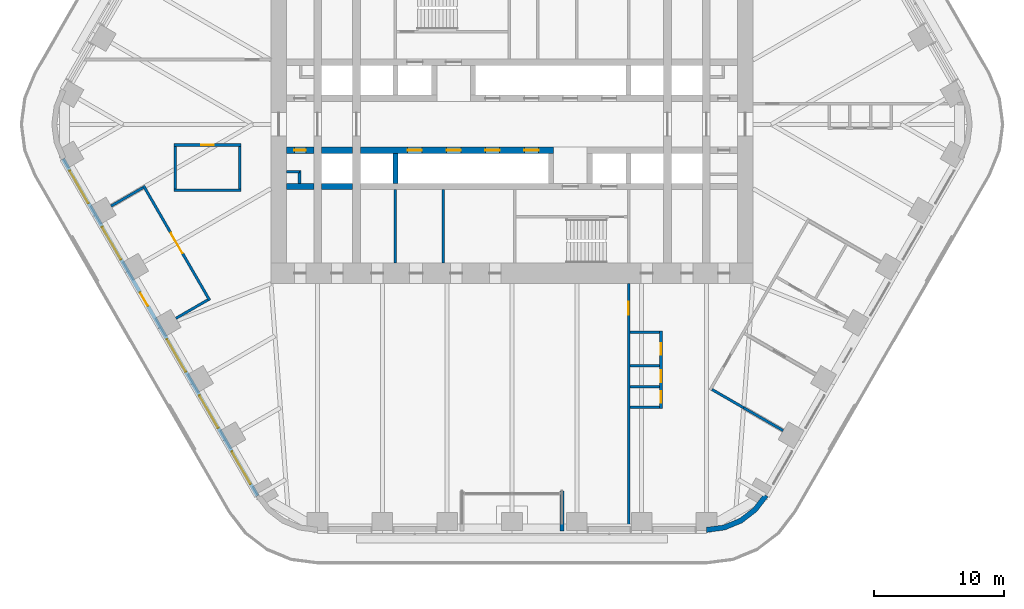
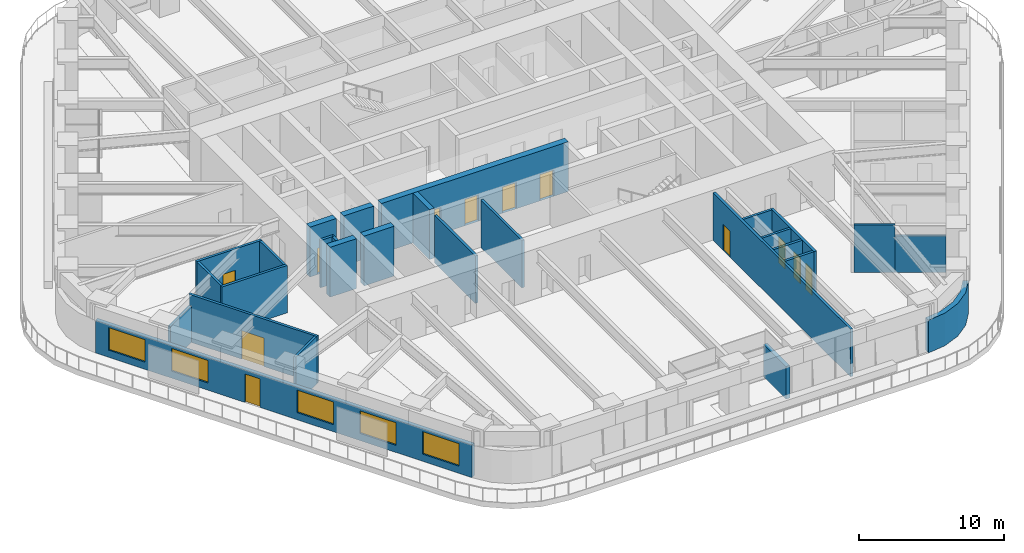
# One storey, part 17 of 24: 28 walls, 12 doors, 5 windows, 17 openings.
"""IFC4 building model written with IfcOpenShell, lengths in metres."""

import ifcopenshell
import ifcopenshell.guid

model = None  # the IFC model being written
_history = None  # IfcOwnerHistory: only IFC2X3 demands one
_inside = {}  # id of a spatial element -> (the spatial element, [elements in it])
_under = {}  # id of a project, library or spatial element -> (it, [spatial elements below it])
_declared = {}  # id of a project -> (the project, [libraries it declares])
_typed = {}  # id of a type object -> (the type object, [elements of that type])
_made_of = {}  # id of a material, layer set ... -> (it, [elements and type objects made of it])


def new_model(schema):
    """Start an empty IFC model of exactly this schema.

    Asked for "IFC4X3", IfcOpenShell would pick the latest addendum, in which some entities
    have other attributes; the version numbers below select the first issue.
    IFC2X3 requires an IfcOwnerHistory on every rooted entity: one is made here for all.
    """
    global model, _history
    if schema == "IFC4X3":
        model = ifcopenshell.file(schema_version=(4, 3, 0, 0))
    else:
        model = ifcopenshell.file(schema=schema)
    _inside.clear()
    _under.clear()
    _declared.clear()
    _typed.clear()
    _made_of.clear()
    _history = None
    if model.schema == "IFC2X3":
        org = make("IfcOrganization", Name="unknown")
        user = make(
            "IfcPersonAndOrganization",
            ThePerson=make("IfcPerson", FamilyName="unknown"),
            TheOrganization=org,
        )
        app = make(
            "IfcApplication",
            ApplicationDeveloper=org,
            Version="unknown",
            ApplicationFullName="unknown",
            ApplicationIdentifier="unknown",
        )
        _history = make(
            "IfcOwnerHistory",
            OwningUser=user,
            OwningApplication=app,
            ChangeAction="ADDED",
            CreationDate=0,
        )
    return model


def make(cls, **values):
    """One entity of the class cls with the attributes given. An attribute that is None is left unset."""
    return model.create_entity(
        cls, **{name: value for name, value in values.items() if value is not None}
    )


def rooted(cls, **values):
    """An entity with a GlobalId (a new one), such as an element, a storey or a relation."""
    return make(cls, GlobalId=ifcopenshell.guid.new(), OwnerHistory=_history, **values)


def si_unit(unit_type, name, prefix=None):
    """IfcSIUnit, for example si_unit("LENGTHUNIT", "METRE", prefix="MILLI")."""
    return make("IfcSIUnit", UnitType=unit_type, Prefix=prefix, Name=name)


def assignment(units):
    """IfcUnitAssignment: the units of a project."""
    return None if units is None else make("IfcUnitAssignment", Units=units)


def point(xyz):
    """IfcCartesianPoint."""
    return None if xyz is None else make("IfcCartesianPoint", Coordinates=xyz)


def direction(xyz):
    """IfcDirection."""
    return None if xyz is None else make("IfcDirection", DirectionRatios=xyz)


def frame(location, z_axis=None, x_axis=None):
    """IfcAxis2Placement3D, a coordinate frame: its origin and axes. An axis left out is left unset."""
    return make(
        "IfcAxis2Placement3D",
        Location=point(location),
        Axis=direction(z_axis),
        RefDirection=direction(x_axis),
    )


def frame_2d(location, x_axis=None):
    """IfcAxis2Placement2D, a coordinate frame in the plane: its origin and x axis."""
    return make(
        "IfcAxis2Placement2D", Location=point(location), RefDirection=direction(x_axis)
    )


def origin():
    """The frame at (0, 0, 0) with its axes left unset."""
    return frame((0.0, 0.0, 0.0))


def place(relative_to, where):
    """IfcLocalPlacement: puts the frame where relative to a parent placement (None: the world)."""
    return make(
        "IfcLocalPlacement", PlacementRelTo=relative_to, RelativePlacement=where
    )


def context(
    kind, dimensions, precision=None, world=None, true_north=None, identifier=None
):
    """IfcGeometricRepresentationContext, for example the 3D "Model" context."""
    return make(
        "IfcGeometricRepresentationContext",
        ContextIdentifier=identifier,
        ContextType=kind,
        CoordinateSpaceDimension=dimensions,
        Precision=precision,
        WorldCoordinateSystem=world,
        TrueNorth=true_north,
    )


def subcontext(parent, identifier, kind, view, scale=None):
    """IfcGeometricRepresentationSubContext, for example "Body" below "Model"."""
    return make(
        "IfcGeometricRepresentationSubContext",
        ContextIdentifier=identifier,
        ContextType=kind,
        ParentContext=parent,
        TargetScale=scale,
        TargetView=view,
    )


def project(units=None, contexts=None):
    """IfcProject with its units and contexts."""
    return rooted(
        "IfcProject",
        Name="project",
        RepresentationContexts=contexts,
        UnitsInContext=assignment(units),
    )


def spatial(cls, under=None, at=None, **own):
    """A site, building, storey or space (cls), placed at a placement, below another one or the project."""
    s = rooted(cls, ObjectPlacement=at, **own)
    if under is not None:
        _under.setdefault(under.id(), (under, []))[1].append(s)
    return s


def polyline(points):
    """IfcPolyline through the points."""
    return make("IfcPolyline", Points=[point(p) for p in points])


def profile(cls, at=None, kind="AREA", **sizes):
    """A parametric profile (cls). Its sizes go by their IFC names, for example OverallWidth=200.0."""
    return make(cls, ProfileType=kind, Position=at, **sizes)


def rectangle(**sizes):
    """IfcRectangleProfileDef."""
    return profile("IfcRectangleProfileDef", **sizes)


def outline(outer, holes=None, kind="AREA"):
    """IfcArbitraryClosedProfileDef: a profile drawn as a closed curve; with holes, ...WithVoids."""
    if holes is None:
        return make("IfcArbitraryClosedProfileDef", ProfileType=kind, OuterCurve=outer)
    return make(
        "IfcArbitraryProfileDefWithVoids",
        ProfileType=kind,
        OuterCurve=outer,
        InnerCurves=holes,
    )


def extrude(swept, where, along, depth):
    """IfcExtrudedAreaSolid: the profile swept, set in the frame where, extruded along a direction by depth."""
    return make(
        "IfcExtrudedAreaSolid",
        SweptArea=swept,
        Position=where,
        ExtrudedDirection=direction(along),
        Depth=depth,
    )


def shape(context_of_items, identifier, shape_type, items):
    """IfcShapeRepresentation: the items that make up one representation, for example the "Body"."""
    return make(
        "IfcShapeRepresentation",
        ContextOfItems=context_of_items,
        RepresentationIdentifier=identifier,
        RepresentationType=shape_type,
        Items=items,
    )


def material(Name=None, Category=None):
    """IfcMaterial."""
    return make("IfcMaterial", Name=Name, Category=Category)


def layer(
    of_material, thickness, ventilated=None, Name=None, Category=None, Priority=None
):
    """IfcMaterialLayer: one layer of a wall or slab, of a material (None: an air gap)."""
    return make(
        "IfcMaterialLayer",
        Material=of_material,
        LayerThickness=thickness,
        IsVentilated=ventilated,
        Name=Name,
        Category=Category,
        Priority=Priority,
    )


def layer_set(layers, Name=None):
    """IfcMaterialLayerSet."""
    return make("IfcMaterialLayerSet", MaterialLayers=layers, LayerSetName=Name)


def made_of(thing, what):
    """Note that an element or type object is made of a material, layer set ...; save() writes the relation."""
    if what is not None:
        _made_of.setdefault(what.id(), (what, []))[1].append(thing)
    return thing


def type_object(cls, material=None, **own):
    """A type object (cls), such as IfcWallType, which elements share."""
    return made_of(rooted(cls, **own), material)


def element(
    cls,
    number,
    at=None,
    inside=None,
    cuts=None,
    type_object=None,
    material=None,
    context=None,
    identifier="Body",
    shape_type=None,
    held_by="IfcProductDefinitionShape",
    body=None,
    shapes=None,
    **own,
):
    """One element of the class cls, such as IfcWall. Its Tag is "e" and its number.

    at: its placement. inside: the storey or other place that contains it. cuts: it is an
    opening in that element (IfcRelVoidsElement). A single representation is given by context,
    identifier, shape_type and body (its items); several are given by shapes. held_by: the class
    of the entity that holds the representations. save() writes the other relations.
    """
    e = rooted(cls, Tag="e%d" % number, ObjectPlacement=at, **own)
    if body is not None:
        shapes = [shape(context, identifier, shape_type, body)]
    if shapes is not None:
        e.Representation = make(held_by, Representations=shapes)
    if inside is not None:
        _inside.setdefault(inside.id(), (inside, []))[1].append(e)
    if cuts is not None:
        rooted(
            "IfcRelVoidsElement", RelatingBuildingElement=cuts, RelatedOpeningElement=e
        )
    if type_object is not None:
        _typed.setdefault(type_object.id(), (type_object, []))[1].append(e)
    return made_of(e, material)


def fill(opening, filler):
    """IfcRelFillsElement: the door or window that sits in an opening."""
    return rooted(
        "IfcRelFillsElement",
        RelatingOpeningElement=opening,
        RelatedBuildingElement=filler,
    )


def aggregate(whole, parts):
    """IfcRelAggregates: a whole, such as a stair, and the parts it consists of."""
    return rooted("IfcRelAggregates", RelatingObject=whole, RelatedObjects=parts)


def save(model, path):
    """Write the relations noted so far, then the file.

    IfcRelAggregates (storeys below a building ...), IfcRelContainedInSpatialStructure (elements
    in a storey), IfcRelDefinesByType, IfcRelAssociatesMaterial and IfcRelDeclares: one each for
    every whole, place, type object, material and project.
    """
    for whole, parts in _under.values():
        aggregate(whole, parts)
    for where, things in _inside.values():
        rooted(
            "IfcRelContainedInSpatialStructure",
            RelatedElements=things,
            RelatingStructure=where,
        )
    for kind, things in _typed.values():
        rooted("IfcRelDefinesByType", RelatedObjects=things, RelatingType=kind)
    for what, things in _made_of.values():
        rooted("IfcRelAssociatesMaterial", RelatedObjects=things, RelatingMaterial=what)
    for by, libraries in _declared.values():
        rooted("IfcRelDeclares", RelatingContext=by, RelatedDefinitions=libraries)
    model.write(path)


model = new_model("IFC4")

# Units and contexts
model_context = context("Model", 3, precision=1e-05, world=origin(), true_north=direction((0.0, 1.0)))
body_context = subcontext(model_context, "Body", "Model", "MODEL_VIEW")
ifc_project = project(units=[si_unit("LENGTHUNIT", "METRE"), si_unit("AREAUNIT", "SQUARE_METRE"), si_unit("VOLUMEUNIT", "CUBIC_METRE"), si_unit("PLANEANGLEUNIT", "RADIAN"), si_unit("MASSUNIT", "GRAM", prefix="KILO")], contexts=[model_context])

# Site, building, storey
site_placement = place(None, origin())
site = spatial("IfcSite", under=ifc_project, at=site_placement, CompositionType="ELEMENT")
building_placement = place(site_placement, origin())
building = spatial("IfcBuilding", under=site, at=building_placement, Name="Tarfa Lantern Tower", CompositionType="ELEMENT")
storey_placement = place(building_placement, frame((0.0, 0.0, 169.89990234375)))
storey = spatial("IfcBuildingStorey", under=building, at=storey_placement, Name="L38", CompositionType="ELEMENT", Elevation=169.89990234375)

# Wall, openings, door, windows
ifc_material_1 = material(Name="Limestone cladding on blockwork", Category="masonry")
ifc_layer_1 = layer(ifc_material_1, 0.300048828125)
ifc_layer_set_1 = layer_set([ifc_layer_1], Name="EW1 STONE-CLAD WALL 300")
wall_type_1 = type_object("IfcWallType", Name="EW1 STONE-CLAD WALL 300", PredefinedType="SOLIDWALL", material=ifc_layer_set_1)
wall_1_placement = place(storey_placement, frame((-34.655517578125, -2.675048828125, 0.0), z_axis=(0.0, 0.0, 1.0), x_axis=(0.500003084452, -0.866023622968, 0.0)))
wall_1 = element("IfcWall", 1, at=wall_1_placement, inside=storey, type_object=wall_type_1, Name="Stone wall SW", PredefinedType="SOLIDWALL", context=body_context, shape_type="SweptSolid", body=[
    extrude(rectangle(XDim=30.022216796875, YDim=0.300048828125, at=frame_2d((15.01123046875, 0.0))), origin(), (0.0, 0.0, 1.0), 2.75),
])
opening_1_placement = place(wall_1_placement, frame((1.0517578125, 0.0, 0.60009765625)))
opening_1 = element("IfcOpeningElement", 2, at=opening_1_placement, cuts=wall_1, Name="Opening W9", PredefinedType="OPENING", context=body_context, shape_type="SweptSolid", body=[
    extrude(rectangle(XDim=2.89990234375, YDim=1.89990234375, at=frame_2d((1.449951171875, 0.949951171875))), frame((0.0, 0.159912109375, 0.0), z_axis=(0.0, -1.0, 0.0), x_axis=(1.0, 0.0, 0.0)), (0.0, 0.0, 1.0), 0.320068359375),
])
opening_2_placement = place(wall_1_placement, frame((6.0556640625, 0.0, 0.60009765625)))
opening_2 = element("IfcOpeningElement", 3, at=opening_2_placement, cuts=wall_1, Name="Opening W9", PredefinedType="OPENING", context=body_context, shape_type="SweptSolid", body=[
    extrude(rectangle(XDim=2.89990234375, YDim=1.89990234375, at=frame_2d((1.449951171875, 0.949951171875))), frame((0.0, 0.159912109375, 0.0), z_axis=(0.0, -1.0, 0.0), x_axis=(1.0, 0.0, 0.0)), (0.0, 0.0, 1.0), 0.320068359375),
])
opening_3_placement = place(wall_1_placement, frame((11.9091796875, 0.0, 0.0)))
opening_3 = element("IfcOpeningElement", 4, at=opening_3_placement, cuts=wall_1, Name="Opening D52", PredefinedType="OPENING", context=body_context, shape_type="SweptSolid", body=[
    extrude(rectangle(XDim=1.199951171875, YDim=2.39990234375, at=frame_2d((0.60009765625, 1.199951171875))), frame((0.0, 0.159912109375, 0.0), z_axis=(0.0, -1.0, 0.0), x_axis=(1.0, 0.0, 0.0)), (0.0, 0.0, 1.0), 0.320068359375),
])
opening_4_placement = place(wall_1_placement, frame((16.06298828125, 0.0, 0.60009765625)))
opening_4 = element("IfcOpeningElement", 5, at=opening_4_placement, cuts=wall_1, Name="Opening W9", PredefinedType="OPENING", context=body_context, shape_type="SweptSolid", body=[
    extrude(rectangle(XDim=2.89990234375, YDim=1.89990234375, at=frame_2d((1.449951171875, 0.949951171875))), frame((0.0, 0.159912109375, 0.0), z_axis=(0.0, -1.0, 0.0), x_axis=(1.0, 0.0, 0.0)), (0.0, 0.0, 1.0), 0.320068359375),
])
opening_5_placement = place(wall_1_placement, frame((21.066650390625, 0.0, 0.60009765625)))
opening_5 = element("IfcOpeningElement", 6, at=opening_5_placement, cuts=wall_1, Name="Opening W9", PredefinedType="OPENING", context=body_context, shape_type="SweptSolid", body=[
    extrude(rectangle(XDim=2.89990234375, YDim=1.89990234375, at=frame_2d((1.449951171875, 0.949951171875))), frame((0.0, 0.159912109375, 0.0), z_axis=(0.0, -1.0, 0.0), x_axis=(1.0, 0.0, 0.0)), (0.0, 0.0, 1.0), 0.320068359375),
])
opening_6_placement = place(wall_1_placement, frame((26.0703125, 0.0, 0.60009765625)))
opening_6 = element("IfcOpeningElement", 7, at=opening_6_placement, cuts=wall_1, Name="Opening W9", PredefinedType="OPENING", context=body_context, shape_type="SweptSolid", body=[
    extrude(rectangle(XDim=2.89990234375, YDim=1.89990234375, at=frame_2d((1.449951171875, 0.949951171875))), frame((0.0, 0.159912109375, 0.0), z_axis=(0.0, -1.0, 0.0), x_axis=(1.0, 0.0, 0.0)), (0.0, 0.0, 1.0), 0.320068359375),
])
ifc_material_2 = material(Name="Aluminium framed glazed door", Category="aluminium")
door_type_1 = type_object("IfcDoorType", Name="BE3 BALCONY DOOR 1200x2400", OperationType="SINGLE_SWING_RIGHT", PredefinedType="DOOR", material=ifc_material_2)
door_1_placement = place(opening_3_placement, origin())
door_1 = element("IfcDoor", 8, at=door_1_placement, inside=storey, type_object=door_type_1, Name="Balcony door SW", OperationType="SINGLE_SWING_RIGHT", OverallHeight=2.39990234375, OverallWidth=1.199951171875, PredefinedType="DOOR", context=body_context, shape_type="SweptSolid", body=[
    extrude(rectangle(XDim=1.199951171875, YDim=2.39990234375, at=frame_2d((0.60009765625, 1.199951171875))), frame((0.0, 0.02490234375, 0.0), z_axis=(0.0, -1.0, 0.0), x_axis=(1.0, 0.0, 0.0)), (0.0, 0.0, 1.0), 0.050048828125),
])
fill(opening_3, door_1)
ifc_material_3 = material(Name="Aluminium frame, double glazed", Category="aluminium")
window_type = type_object("IfcWindowType", Name="W9 FULL-HEIGHT GLAZING 2900x1900", PartitioningType="SINGLE_PANEL", PredefinedType="WINDOW", material=ifc_material_3)
window_1_placement = place(opening_1_placement, origin())
window_1 = element("IfcWindow", 9, at=window_1_placement, inside=storey, type_object=window_type, Name="Window SW 1", OverallHeight=1.89990234375, OverallWidth=2.89990234375, PartitioningType="SINGLE_PANEL", PredefinedType="WINDOW", context=body_context, shape_type="SweptSolid", body=[
    extrude(rectangle(XDim=2.89990234375, YDim=1.89990234375, at=frame_2d((1.449951171875, 0.949951171875))), frame((0.0, 0.030029296875, 0.0), z_axis=(0.0, -1.0, 0.0), x_axis=(1.0, 0.0, 0.0)), (0.0, 0.0, 1.0), 0.06005859375),
])
fill(opening_1, window_1)
window_2_placement = place(opening_2_placement, origin())
window_2 = element("IfcWindow", 10, at=window_2_placement, inside=storey, type_object=window_type, Name="Window SW 2", OverallHeight=1.89990234375, OverallWidth=2.89990234375, PartitioningType="SINGLE_PANEL", PredefinedType="WINDOW", context=body_context, shape_type="SweptSolid", body=[
    extrude(rectangle(XDim=2.89990234375, YDim=1.89990234375, at=frame_2d((1.449951171875, 0.949951171875))), frame((0.0, 0.030029296875, 0.0), z_axis=(0.0, -1.0, 0.0), x_axis=(1.0, 0.0, 0.0)), (0.0, 0.0, 1.0), 0.06005859375),
])
fill(opening_2, window_2)
window_3_placement = place(opening_4_placement, origin())
window_3 = element("IfcWindow", 11, at=window_3_placement, inside=storey, type_object=window_type, Name="Window SW 4", OverallHeight=1.89990234375, OverallWidth=2.89990234375, PartitioningType="SINGLE_PANEL", PredefinedType="WINDOW", context=body_context, shape_type="SweptSolid", body=[
    extrude(rectangle(XDim=2.89990234375, YDim=1.89990234375, at=frame_2d((1.449951171875, 0.949951171875))), frame((0.0, 0.030029296875, 0.0), z_axis=(0.0, -1.0, 0.0), x_axis=(1.0, 0.0, 0.0)), (0.0, 0.0, 1.0), 0.06005859375),
])
fill(opening_4, window_3)
window_4_placement = place(opening_5_placement, origin())
window_4 = element("IfcWindow", 12, at=window_4_placement, inside=storey, type_object=window_type, Name="Window SW 5", OverallHeight=1.89990234375, OverallWidth=2.89990234375, PartitioningType="SINGLE_PANEL", PredefinedType="WINDOW", context=body_context, shape_type="SweptSolid", body=[
    extrude(rectangle(XDim=2.89990234375, YDim=1.89990234375, at=frame_2d((1.449951171875, 0.949951171875))), frame((0.0, 0.030029296875, 0.0), z_axis=(0.0, -1.0, 0.0), x_axis=(1.0, 0.0, 0.0)), (0.0, 0.0, 1.0), 0.06005859375),
])
fill(opening_5, window_4)
window_5_placement = place(opening_6_placement, origin())
window_5 = element("IfcWindow", 13, at=window_5_placement, inside=storey, type_object=window_type, Name="Window SW 6", OverallHeight=1.89990234375, OverallWidth=2.89990234375, PartitioningType="SINGLE_PANEL", PredefinedType="WINDOW", context=body_context, shape_type="SweptSolid", body=[
    extrude(rectangle(XDim=2.89990234375, YDim=1.89990234375, at=frame_2d((1.449951171875, 0.949951171875))), frame((0.0, 0.030029296875, 0.0), z_axis=(0.0, -1.0, 0.0), x_axis=(1.0, 0.0, 0.0)), (0.0, 0.0, 1.0), 0.06005859375),
])
fill(opening_6, window_5)

# Walls
wall_2_placement = place(storey_placement, frame((3.853759765625, -31.39990234375, 0.0), z_axis=(0.0, 0.0, 1.0), x_axis=(0.0, 1.0, 0.0)))
element("IfcWall", 14, at=wall_2_placement, inside=storey, type_object=wall_type_1, Name="Loggia return S 2", PredefinedType="SOLIDWALL", context=body_context, shape_type="SweptSolid", body=[
    extrude(rectangle(XDim=3.099853515625, YDim=0.300048828125, at=frame_2d((1.5498046875, 0.0))), origin(), (0.0, 0.0, 1.0), 2.75),
])
ifc_layer_2 = layer(ifc_material_1, 0.39990234375)
ifc_layer_set_2 = layer_set([ifc_layer_2], Name="EW2 CURVED STONE CORNER 400")
wall_type_2 = type_object("IfcWallType", Name="EW2 CURVED STONE CORNER 400", PredefinedType="SOLIDWALL", material=ifc_layer_set_2)
wall_3_placement = place(storey_placement, origin())
element("IfcWall", 15, at=wall_3_placement, inside=storey, type_object=wall_type_2, Name="Stone corner S-SE", PredefinedType="SOLIDWALL", context=body_context, shape_type="SweptSolid", body=[
    extrude(outline(polyline([(15.010986328125, -31.5), (16.4345703125, -31.3125), (17.760986328125, -30.76318359375), (18.900146484375, -29.88916015625), (19.774169921875, -28.75), (19.427734375, -28.550048828125), (18.617431640625, -29.606201171875), (17.56103515625, -30.416748046875), (16.3310546875, -30.92626953125), (15.010986328125, -31.10009765625), (15.010986328125, -31.5)])), origin(), (0.0, 0.0, 1.0), 2.75),
])
ifc_material_4 = material(Name="Concrete blockwork", Category="masonry")
ifc_layer_3 = layer(ifc_material_4, 0.199951171875)
ifc_layer_set_3 = layer_set([ifc_layer_3], Name="IW1 BLOCKWORK PARTITION 200 EI 120")
wall_type_3 = type_object("IfcWallType", Name="IW1 BLOCKWORK PARTITION 200 EI 120", PredefinedType="PARTITIONING", material=ifc_layer_set_3)
for number, where, z_axis, x_axis, name in (
    (16, (-9.0, -5.050048828125, 0.0), (0.0, 0.0, 1.0), (0.0, -1.0, 0.0), "Core partition"),
    (17, (-5.300048828125, -5.050048828125, 0.0), (0.0, 0.0, 1.0), (0.0, -1.0, 0.0), "Core partition"),
):
    element("IfcWall", number, at=place(storey_placement, frame(where, z_axis=z_axis, x_axis=x_axis)), inside=storey, type_object=wall_type_3, Name=name, PredefinedType="PARTITIONING", context=body_context, shape_type="SweptSolid", body=[
        extrude(rectangle(XDim=5.64990234375, YDim=0.199951171875, at=frame_2d((2.824951171875, 0.0))), origin(), (0.0, 0.0, 1.0), 4.0),
    ])
for number, where, z_axis, x_axis, name in (
    (18, (-16.39990234375, -3.64990234375, 0.0), (0.0, 0.0, 1.0), (-1.0, 0.0, 0.0), "Core partition"),
    (19, (-16.39990234375, -3.550048828125, 0.0), (0.0, 0.0, 1.0), (0.0, -1.0, 0.0), "Core partition"),
):
    element("IfcWall", number, at=place(storey_placement, frame(where, z_axis=z_axis, x_axis=x_axis)), inside=storey, type_object=wall_type_3, Name=name, PredefinedType="PARTITIONING", context=body_context, shape_type="SweptSolid", body=[
        extrude(rectangle(XDim=1.0, YDim=0.199951171875, at=frame_2d((0.5, 0.0))), origin(), (0.0, 0.0, 1.0), 4.0),
    ])
ifc_material_5 = material(Name="Gypsum board on steel studs", Category="steel")
ifc_layer_4 = layer(ifc_material_5, 0.2099609375)
ifc_layer_set_4 = layer_set([ifc_layer_4], Name="IW2 ACOUSTIC PARTITION 200")
wall_type_4 = type_object("IfcWallType", Name="IW2 ACOUSTIC PARTITION 200", PredefinedType="PARTITIONING", material=ifc_layer_set_4)
wall_4_placement = place(storey_placement, frame((15.4345703125, -20.466552734375, 0.0), z_axis=(0.0, 0.0, 1.0), x_axis=(0.866008320966, -0.500029587143, 0.0)))
element("IfcWall", 20, at=wall_4_placement, inside=storey, type_object=wall_type_4, Name="Partition", PredefinedType="PARTITIONING", context=body_context, shape_type="SweptSolid", body=[
    extrude(rectangle(XDim=2.821044921875, YDim=0.199951171875, at=frame_2d((1.41064453125, 0.0))), origin(), (0.0, 0.0, 1.0), 4.0),
])
wall_5_placement = place(storey_placement, frame((17.877685546875, -21.877197265625, 0.0), z_axis=(0.0, 0.0, 1.0), x_axis=(0.866033512162, -0.499985955615, 0.0)))
element("IfcWall", 21, at=wall_5_placement, inside=storey, type_object=wall_type_4, Name="Partition", PredefinedType="PARTITIONING", context=body_context, shape_type="SweptSolid", body=[
    extrude(rectangle(XDim=3.52880859375, YDim=0.199951171875, at=frame_2d((1.764404296875, 0.0))), origin(), (0.0, 0.0, 1.0), 3.081787109375),
])

# Wall, opening, door
wall_6_placement = place(storey_placement, frame((-28.436279296875, -4.746826171875, 0.0), z_axis=(0.0, 0.0, 1.0), x_axis=(0.499987468925, -0.866032638483, 0.0)))
wall_6 = element("IfcWall", 22, at=wall_6_placement, inside=storey, type_object=wall_type_4, Name="Partition", PredefinedType="PARTITIONING", context=body_context, shape_type="SweptSolid", body=[
    extrude(rectangle(XDim=10.207275390625, YDim=0.199951171875, at=frame_2d((5.103515625, 0.0))), origin(), (0.0, 0.0, 1.0), 4.0),
])
opening_7_placement = place(wall_6_placement, frame((4.20361328125, 0.0, 0.0)))
opening_7 = element("IfcOpeningElement", 23, at=opening_7_placement, cuts=wall_6, Name="Opening D37", PredefinedType="OPENING", context=body_context, shape_type="SweptSolid", body=[
    extrude(rectangle(XDim=1.800048828125, YDim=2.39990234375, at=frame_2d((0.89990234375, 1.199951171875))), frame((0.0, 0.10986328125, 0.0), z_axis=(0.0, -1.0, 0.0), x_axis=(1.0, 0.0, 0.0)), (0.0, 0.0, 1.0), 0.219970703125),
])
ifc_material_6 = material(Name="Timber door", Category="wood")
door_type_2 = type_object("IfcDoorType", Name="DR2 ROOM DOOR 1800x2400", OperationType="DOUBLE_DOOR_SINGLE_SWING", PredefinedType="DOOR", material=ifc_material_6)
door_2_placement = place(opening_7_placement, frame((1.800048828125, 0.0, 0.0), z_axis=(0.0, 0.0, 1.0), x_axis=(-1.0, 0.0, 0.0)))
door_2 = element("IfcDoor", 24, at=door_2_placement, inside=storey, type_object=door_type_2, Name="Evidence review room door", OperationType="DOUBLE_DOOR_SINGLE_SWING", OverallHeight=2.39990234375, OverallWidth=1.800048828125, PredefinedType="DOOR", context=body_context, shape_type="SweptSolid", body=[
    extrude(rectangle(XDim=1.800048828125, YDim=2.39990234375, at=frame_2d((0.89990234375, 1.199951171875))), frame((0.0, 0.02490234375, 0.0), z_axis=(0.0, -1.0, 0.0), x_axis=(1.0, 0.0, 0.0)), (0.0, 0.0, 1.0), 0.050048828125),
])
fill(opening_7, door_2)

# Walls
wall_7_placement = place(storey_placement, frame((-28.472900390625, -4.88330078125, 0.0), z_axis=(0.0, 0.0, 1.0), x_axis=(-0.866025820012, -0.499999279071, 0.0)))
element("IfcWall", 25, at=wall_7_placement, inside=storey, type_object=wall_type_4, Name="Partition", PredefinedType="PARTITIONING", context=body_context, shape_type="SweptSolid", body=[
    extrude(rectangle(XDim=2.85009765625, YDim=0.199951171875, at=frame_2d((1.425048828125, 0.0))), origin(), (0.0, 0.0, 1.0), 3.081787109375),
])
wall_8_placement = place(storey_placement, frame((-23.46923828125, -13.550048828125, 0.0), z_axis=(0.0, 0.0, 1.0), x_axis=(-0.866025820012, -0.499999279071, 0.0)))
element("IfcWall", 26, at=wall_8_placement, inside=storey, type_object=wall_type_4, Name="Partition", PredefinedType="PARTITIONING", context=body_context, shape_type="SweptSolid", body=[
    extrude(rectangle(XDim=2.85009765625, YDim=0.199951171875, at=frame_2d((1.425048828125, 0.0))), origin(), (0.0, 0.0, 1.0), 4.0),
])

# Wall, opening, door
wall_9_placement = place(storey_placement, frame((-20.89990234375, -1.60009765625, 0.0), z_axis=(0.0, 0.0, 1.0), x_axis=(-1.0, 0.0, 0.0)))
wall_9 = element("IfcWall", 27, at=wall_9_placement, inside=storey, type_object=wall_type_4, Name="Partition", PredefinedType="PARTITIONING", context=body_context, shape_type="SweptSolid", body=[
    extrude(rectangle(XDim=5.2001953125, YDim=0.199951171875, at=frame_2d((2.60009765625, 0.0))), origin(), (0.0, 0.0, 1.0), 4.0),
])
opening_8_placement = place(wall_9_placement, frame((2.10009765625, 0.0, 0.0)))
opening_8 = element("IfcOpeningElement", 28, at=opening_8_placement, cuts=wall_9, Name="Opening D38", PredefinedType="OPENING", context=body_context, shape_type="SweptSolid", body=[
    extrude(rectangle(XDim=1.0, YDim=2.199951171875, at=frame_2d((0.5, 1.10009765625))), frame((0.0, 0.10986328125, 0.0), z_axis=(0.0, -1.0, 0.0), x_axis=(1.0, 0.0, 0.0)), (0.0, 0.0, 1.0), 0.219970703125),
])
door_type_3 = type_object("IfcDoorType", Name="DR1 ROOM DOOR 1000x2200", OperationType="SINGLE_SWING_LEFT", PredefinedType="DOOR", material=ifc_material_6)
door_3_placement = place(opening_8_placement, origin())
door_3 = element("IfcDoor", 29, at=door_3_placement, inside=storey, type_object=door_type_3, Name="Pantry door", OperationType="SINGLE_SWING_RIGHT", OverallHeight=2.199951171875, OverallWidth=1.0, PredefinedType="DOOR", context=body_context, shape_type="SweptSolid", body=[
    extrude(rectangle(XDim=1.0, YDim=2.199951171875, at=frame_2d((0.5, 1.10009765625))), frame((0.0, 0.02490234375, 0.0), z_axis=(0.0, -1.0, 0.0), x_axis=(1.0, 0.0, 0.0)), (0.0, 0.0, 1.0), 0.050048828125),
])
fill(opening_8, door_3)

# Walls
wall_10_placement = place(storey_placement, frame((-20.89990234375, -5.10009765625, 0.0), z_axis=(0.0, 0.0, 1.0), x_axis=(-1.0, 0.0, 0.0)))
element("IfcWall", 30, at=wall_10_placement, inside=storey, type_object=wall_type_4, Name="Partition", PredefinedType="PARTITIONING", context=body_context, shape_type="SweptSolid", body=[
    extrude(rectangle(XDim=5.2001953125, YDim=0.199951171875, at=frame_2d((2.60009765625, 0.0))), origin(), (0.0, 0.0, 1.0), 4.0),
])
for number, where, z_axis, x_axis, name in (
    (31, (-21.0, -1.699951171875, 0.0), (0.0, 0.0, 1.0), (0.0, -1.0, 0.0), "Partition"),
    (32, (-26.0, -1.699951171875, 0.0), (0.0, 0.0, 1.0), (0.0, -1.0, 0.0), "Partition"),
):
    element("IfcWall", number, at=place(storey_placement, frame(where, z_axis=z_axis, x_axis=x_axis)), inside=storey, type_object=wall_type_4, Name=name, PredefinedType="PARTITIONING", context=body_context, shape_type="SweptSolid", body=[
        extrude(rectangle(XDim=3.300048828125, YDim=0.199951171875, at=frame_2d((1.64990234375, 0.0))), origin(), (0.0, 0.0, 1.0), 4.0),
    ])

# Wall, opening, door
wall_11_placement = place(storey_placement, frame((9.0, -12.300048828125, 0.0), z_axis=(0.0, 0.0, 1.0), x_axis=(0.0, -1.0, 0.0)))
wall_11 = element("IfcWall", 33, at=wall_11_placement, inside=storey, type_object=wall_type_4, Name="Partition", PredefinedType="PARTITIONING", context=body_context, shape_type="SweptSolid", body=[
    extrude(rectangle(XDim=19.0, YDim=0.199951171875, at=frame_2d((9.5, 0.0))), origin(), (0.0, 0.0, 1.0), 4.0),
])
opening_9_placement = place(wall_11_placement, frame((1.39990234375, 0.0, 0.0)))
opening_9 = element("IfcOpeningElement", 34, at=opening_9_placement, cuts=wall_11, Name="Opening D48", PredefinedType="OPENING", context=body_context, shape_type="SweptSolid", body=[
    extrude(rectangle(XDim=1.0, YDim=2.199951171875, at=frame_2d((0.5, 1.10009765625))), frame((0.0, 0.10986328125, 0.0), z_axis=(0.0, -1.0, 0.0), x_axis=(1.0, 0.0, 0.0)), (0.0, 0.0, 1.0), 0.219970703125),
])
door_4_placement = place(opening_9_placement, origin())
door_4 = element("IfcDoor", 35, at=door_4_placement, inside=storey, type_object=door_type_3, Name="Zone door", OperationType="SINGLE_SWING_LEFT", OverallHeight=2.199951171875, OverallWidth=1.0, PredefinedType="DOOR", context=body_context, shape_type="SweptSolid", body=[
    extrude(rectangle(XDim=1.0, YDim=2.199951171875, at=frame_2d((0.5, 1.10009765625))), frame((0.0, 0.02490234375, 0.0), z_axis=(0.0, -1.0, 0.0), x_axis=(1.0, 0.0, 0.0)), (0.0, 0.0, 1.0), 0.050048828125),
])
fill(opening_9, door_4)

# Wall, openings, doors
wall_12_placement = place(storey_placement, frame((11.5, -15.949951171875, 0.0), z_axis=(0.0, 0.0, 1.0), x_axis=(0.0, -1.0, 0.0)))
wall_12 = element("IfcWall", 36, at=wall_12_placement, inside=storey, type_object=wall_type_4, Name="Partition", PredefinedType="PARTITIONING", context=body_context, shape_type="SweptSolid", body=[
    extrude(rectangle(XDim=6.0, YDim=0.199951171875, at=frame_2d((3.0, 0.0))), origin(), (0.0, 0.0, 1.0), 4.0),
])
opening_10_placement = place(wall_12_placement, frame((0.949951171875, 0.0, 0.0)))
opening_10 = element("IfcOpeningElement", 37, at=opening_10_placement, cuts=wall_12, Name="Opening D41", PredefinedType="OPENING", context=body_context, shape_type="SweptSolid", body=[
    extrude(rectangle(XDim=0.89990234375, YDim=2.199951171875, at=frame_2d((0.449951171875, 1.10009765625))), frame((0.0, 0.10986328125, 0.0), z_axis=(0.0, -1.0, 0.0), x_axis=(1.0, 0.0, 0.0)), (0.0, 0.0, 1.0), 0.219970703125),
])
opening_11_placement = place(wall_12_placement, frame((3.050048828125, 0.0, 0.0)))
opening_11 = element("IfcOpeningElement", 38, at=opening_11_placement, cuts=wall_12, Name="Opening D42", PredefinedType="OPENING", context=body_context, shape_type="SweptSolid", body=[
    extrude(rectangle(XDim=0.89990234375, YDim=2.199951171875, at=frame_2d((0.449951171875, 1.10009765625))), frame((0.0, 0.10986328125, 0.0), z_axis=(0.0, -1.0, 0.0), x_axis=(1.0, 0.0, 0.0)), (0.0, 0.0, 1.0), 0.219970703125),
])
opening_12_placement = place(wall_12_placement, frame((4.64990234375, 0.0, 0.0)))
opening_12 = element("IfcOpeningElement", 39, at=opening_12_placement, cuts=wall_12, Name="Opening D43", PredefinedType="OPENING", context=body_context, shape_type="SweptSolid", body=[
    extrude(rectangle(XDim=0.89990234375, YDim=2.199951171875, at=frame_2d((0.449951171875, 1.10009765625))), frame((0.0, 0.10986328125, 0.0), z_axis=(0.0, -1.0, 0.0), x_axis=(1.0, 0.0, 0.0)), (0.0, 0.0, 1.0), 0.219970703125),
])
door_type_4 = type_object("IfcDoorType", Name="DR3 ROOM DOOR 900x2200", OperationType="SINGLE_SWING_LEFT", PredefinedType="DOOR", material=ifc_material_6)
door_5_placement = place(opening_10_placement, frame((0.89990234375, 0.0, 0.0), z_axis=(0.0, 0.0, 1.0), x_axis=(-1.0, 0.0, 0.0)))
door_5 = element("IfcDoor", 40, at=door_5_placement, inside=storey, type_object=door_type_4, Name="Print and copy room door", OperationType="SINGLE_SWING_LEFT", OverallHeight=2.199951171875, OverallWidth=0.89990234375, PredefinedType="DOOR", context=body_context, shape_type="SweptSolid", body=[
    extrude(rectangle(XDim=0.89990234375, YDim=2.199951171875, at=frame_2d((0.449951171875, 1.10009765625))), frame((0.0, 0.02490234375, 0.0), z_axis=(0.0, -1.0, 0.0), x_axis=(1.0, 0.0, 0.0)), (0.0, 0.0, 1.0), 0.050048828125),
])
fill(opening_10, door_5)
door_6_placement = place(opening_11_placement, frame((0.89990234375, 0.0, 0.0), z_axis=(0.0, 0.0, 1.0), x_axis=(-1.0, 0.0, 0.0)))
door_6 = element("IfcDoor", 41, at=door_6_placement, inside=storey, type_object=door_type_4, Name="Phone booth door", OperationType="SINGLE_SWING_RIGHT", OverallHeight=2.199951171875, OverallWidth=0.89990234375, PredefinedType="DOOR", context=body_context, shape_type="SweptSolid", body=[
    extrude(rectangle(XDim=0.89990234375, YDim=2.199951171875, at=frame_2d((0.449951171875, 1.10009765625))), frame((0.0, 0.02490234375, 0.0), z_axis=(0.0, -1.0, 0.0), x_axis=(1.0, 0.0, 0.0)), (0.0, 0.0, 1.0), 0.050048828125),
])
fill(opening_11, door_6)
door_7_placement = place(opening_12_placement, frame((0.89990234375, 0.0, 0.0), z_axis=(0.0, 0.0, 1.0), x_axis=(-1.0, 0.0, 0.0)))
door_7 = element("IfcDoor", 42, at=door_7_placement, inside=storey, type_object=door_type_4, Name="Phone booth door", OperationType="SINGLE_SWING_RIGHT", OverallHeight=2.199951171875, OverallWidth=0.89990234375, PredefinedType="DOOR", context=body_context, shape_type="SweptSolid", body=[
    extrude(rectangle(XDim=0.89990234375, YDim=2.199951171875, at=frame_2d((0.449951171875, 1.10009765625))), frame((0.0, 0.02490234375, 0.0), z_axis=(0.0, -1.0, 0.0), x_axis=(1.0, 0.0, 0.0)), (0.0, 0.0, 1.0), 0.050048828125),
])
fill(opening_12, door_7)

# Walls
for number, where, z_axis, x_axis, name in (
    (43, (9.10009765625, -16.050048828125, 0.0), (0.0, 0.0, 1.0), (1.0, 0.0, 0.0), "Partition"),
    (44, (9.10009765625, -18.64990234375, 0.0), (0.0, 0.0, 1.0), (1.0, 0.0, 0.0), "Partition"),
    (45, (9.10009765625, -20.25, 0.0), (0.0, 0.0, 1.0), (1.0, 0.0, 0.0), "Partition"),
    (46, (9.10009765625, -21.85009765625, 0.0), (0.0, 0.0, 1.0), (1.0, 0.0, 0.0), "Partition"),
):
    element("IfcWall", number, at=place(storey_placement, frame(where, z_axis=z_axis, x_axis=x_axis)), inside=storey, type_object=wall_type_4, Name=name, PredefinedType="PARTITIONING", context=body_context, shape_type="SweptSolid", body=[
        extrude(rectangle(XDim=2.2998046875, YDim=0.199951171875, at=frame_2d((1.14990234375, 0.0))), origin(), (0.0, 0.0, 1.0), 4.0),
    ])

# Wall, openings, doors
ifc_material_7 = material(Name="Concrete C80/95", Category="concrete")
ifc_layer_5 = layer(ifc_material_7, 0.5)
ifc_layer_set_5 = layer_set([ifc_layer_5], Name="SW5 CORE WALL 500")
wall_type_5 = type_object("IfcWallType", Name="SW5 CORE WALL 500", PredefinedType="SHEAR", material=ifc_layer_set_5)
wall_13_placement = place(storey_placement, frame((3.199951171875, -2.0, 0.0), z_axis=(0.0, 0.0, 1.0), x_axis=(-1.0, 0.0, 0.0)))
wall_13 = element("IfcWall", 47, at=wall_13_placement, inside=storey, type_object=wall_type_5, Name="Core wall lobby east S", PredefinedType="SHEAR", context=body_context, shape_type="SweptSolid", body=[
    extrude(rectangle(XDim=14.89990234375, YDim=0.5, at=frame_2d((7.449951171875, 0.0))), origin(), (0.0, 0.0, 1.0), 4.2001953125),
])
opening_13_placement = place(wall_13_placement, frame((1.14990234375, 0.0, 0.0)))
opening_13 = element("IfcOpeningElement", 48, at=opening_13_placement, cuts=wall_13, Name="Opening LD07", PredefinedType="OPENING", context=body_context, shape_type="SweptSolid", body=[
    extrude(rectangle(XDim=1.10009765625, YDim=2.199951171875, at=frame_2d((0.550048828125, 1.10009765625))), frame((0.0, 0.260009765625, 0.0), z_axis=(0.0, -1.0, 0.0), x_axis=(1.0, 0.0, 0.0)), (0.0, 0.0, 1.0), 0.52001953125),
])
opening_14_placement = place(wall_13_placement, frame((4.14990234375, 0.0, 0.0)))
opening_14 = element("IfcOpeningElement", 49, at=opening_14_placement, cuts=wall_13, Name="Opening LD08", PredefinedType="OPENING", context=body_context, shape_type="SweptSolid", body=[
    extrude(rectangle(XDim=1.10009765625, YDim=2.199951171875, at=frame_2d((0.550048828125, 1.10009765625))), frame((0.0, 0.260009765625, 0.0), z_axis=(0.0, -1.0, 0.0), x_axis=(1.0, 0.0, 0.0)), (0.0, 0.0, 1.0), 0.52001953125),
])
opening_15_placement = place(wall_13_placement, frame((7.14990234375, 0.0, 0.0)))
opening_15 = element("IfcOpeningElement", 50, at=opening_15_placement, cuts=wall_13, Name="Opening LD09", PredefinedType="OPENING", context=body_context, shape_type="SweptSolid", body=[
    extrude(rectangle(XDim=1.10009765625, YDim=2.199951171875, at=frame_2d((0.550048828125, 1.10009765625))), frame((0.0, 0.260009765625, 0.0), z_axis=(0.0, -1.0, 0.0), x_axis=(1.0, 0.0, 0.0)), (0.0, 0.0, 1.0), 0.52001953125),
])
opening_16_placement = place(wall_13_placement, frame((10.14990234375, 0.0, 0.0)))
opening_16 = element("IfcOpeningElement", 51, at=opening_16_placement, cuts=wall_13, Name="Opening LD10", PredefinedType="OPENING", context=body_context, shape_type="SweptSolid", body=[
    extrude(rectangle(XDim=1.10009765625, YDim=2.199951171875, at=frame_2d((0.550048828125, 1.10009765625))), frame((0.0, 0.260009765625, 0.0), z_axis=(0.0, -1.0, 0.0), x_axis=(1.0, 0.0, 0.0)), (0.0, 0.0, 1.0), 0.52001953125),
])
ifc_material_8 = material(Name="Stainless steel lift door", Category="steel")
door_type_5 = type_object("IfcDoorType", Name="LD2 LIFT LANDING DOOR 1100x2200", OperationType="SLIDING_TO_LEFT", PredefinedType="DOOR", material=ifc_material_8)
door_8_placement = place(opening_13_placement, frame((1.10009765625, 0.0, 0.0), z_axis=(0.0, 0.0, 1.0), x_axis=(-1.0, 0.0, 0.0)))
door_8 = element("IfcDoor", 52, at=door_8_placement, inside=storey, type_object=door_type_5, Name="Landing door PB5", OperationType="SLIDING_TO_LEFT", OverallHeight=2.199951171875, OverallWidth=1.10009765625, PredefinedType="DOOR", context=body_context, shape_type="SweptSolid", body=[
    extrude(rectangle(XDim=1.10009765625, YDim=2.199951171875, at=frame_2d((0.550048828125, 1.10009765625))), frame((0.0, 0.02490234375, 0.0), z_axis=(0.0, -1.0, 0.0), x_axis=(1.0, 0.0, 0.0)), (0.0, 0.0, 1.0), 0.050048828125),
])
fill(opening_13, door_8)
door_9_placement = place(opening_14_placement, frame((1.10009765625, 0.0, 0.0), z_axis=(0.0, 0.0, 1.0), x_axis=(-1.0, 0.0, 0.0)))
door_9 = element("IfcDoor", 53, at=door_9_placement, inside=storey, type_object=door_type_5, Name="Landing door PB6", OperationType="SLIDING_TO_LEFT", OverallHeight=2.199951171875, OverallWidth=1.10009765625, PredefinedType="DOOR", context=body_context, shape_type="SweptSolid", body=[
    extrude(rectangle(XDim=1.10009765625, YDim=2.199951171875, at=frame_2d((0.550048828125, 1.10009765625))), frame((0.0, 0.02490234375, 0.0), z_axis=(0.0, -1.0, 0.0), x_axis=(1.0, 0.0, 0.0)), (0.0, 0.0, 1.0), 0.050048828125),
])
fill(opening_14, door_9)
door_10_placement = place(opening_15_placement, frame((1.10009765625, 0.0, 0.0), z_axis=(0.0, 0.0, 1.0), x_axis=(-1.0, 0.0, 0.0)))
door_10 = element("IfcDoor", 54, at=door_10_placement, inside=storey, type_object=door_type_5, Name="Landing door PB7", OperationType="SLIDING_TO_LEFT", OverallHeight=2.199951171875, OverallWidth=1.10009765625, PredefinedType="DOOR", context=body_context, shape_type="SweptSolid", body=[
    extrude(rectangle(XDim=1.10009765625, YDim=2.199951171875, at=frame_2d((0.550048828125, 1.10009765625))), frame((0.0, 0.02490234375, 0.0), z_axis=(0.0, -1.0, 0.0), x_axis=(1.0, 0.0, 0.0)), (0.0, 0.0, 1.0), 0.050048828125),
])
fill(opening_15, door_10)
door_11_placement = place(opening_16_placement, frame((1.10009765625, 0.0, 0.0), z_axis=(0.0, 0.0, 1.0), x_axis=(-1.0, 0.0, 0.0)))
door_11 = element("IfcDoor", 55, at=door_11_placement, inside=storey, type_object=door_type_5, Name="Landing door PB8", OperationType="SLIDING_TO_LEFT", OverallHeight=2.199951171875, OverallWidth=1.10009765625, PredefinedType="DOOR", context=body_context, shape_type="SweptSolid", body=[
    extrude(rectangle(XDim=1.10009765625, YDim=2.199951171875, at=frame_2d((0.550048828125, 1.10009765625))), frame((0.0, 0.02490234375, 0.0), z_axis=(0.0, -1.0, 0.0), x_axis=(1.0, 0.0, 0.0)), (0.0, 0.0, 1.0), 0.050048828125),
])
fill(opening_16, door_11)

# Wall
wall_14_placement = place(storey_placement, frame((-12.300048828125, -2.0, 0.0), z_axis=(0.0, 0.0, 1.0), x_axis=(-1.0, 0.0, 0.0)))
element("IfcWall", 56, at=wall_14_placement, inside=storey, type_object=wall_type_5, Name="Core wall lobby east S", PredefinedType="SHEAR", context=body_context, shape_type="SweptSolid", body=[
    extrude(rectangle(XDim=2.39990234375, YDim=0.5, at=frame_2d((1.199951171875, 0.0))), origin(), (0.0, 0.0, 1.0), 4.2001953125),
])

# Wall, opening, door
wall_15_placement = place(storey_placement, frame((-15.300048828125, -2.0, 0.0), z_axis=(0.0, 0.0, 1.0), x_axis=(-1.0, 0.0, 0.0)))
wall_15 = element("IfcWall", 57, at=wall_15_placement, inside=storey, type_object=wall_type_5, Name="Core wall lobby east S", PredefinedType="SHEAR", context=body_context, shape_type="SweptSolid", body=[
    extrude(rectangle(XDim=2.099853515625, YDim=0.5, at=frame_2d((1.0498046875, 0.0))), origin(), (0.0, 0.0, 1.0), 4.2001953125),
])
opening_17_placement = place(wall_15_placement, frame((0.60009765625, 0.0, 0.0)))
opening_17 = element("IfcOpeningElement", 58, at=opening_17_placement, cuts=wall_15, Name="Opening D18", PredefinedType="OPENING", context=body_context, shape_type="SweptSolid", body=[
    extrude(rectangle(XDim=0.89990234375, YDim=2.199951171875, at=frame_2d((0.449951171875, 1.10009765625))), frame((0.0, 0.260009765625, 0.0), z_axis=(0.0, -1.0, 0.0), x_axis=(1.0, 0.0, 0.0)), (0.0, 0.0, 1.0), 0.52001953125),
])
ifc_material_9 = material(Name="Steel fire door", Category="steel")
door_type_6 = type_object("IfcDoorType", Name="DF6 SERVICE ROOM DOOR 900x2200", OperationType="SINGLE_SWING_LEFT", PredefinedType="DOOR", material=ifc_material_9)
door_12_placement = place(opening_17_placement, origin())
door_12 = element("IfcDoor", 59, at=door_12_placement, inside=storey, type_object=door_type_6, Name="Service room door", OperationType="SINGLE_SWING_LEFT", OverallHeight=2.199951171875, OverallWidth=0.89990234375, PredefinedType="DOOR", context=body_context, shape_type="SweptSolid", body=[
    extrude(rectangle(XDim=0.89990234375, YDim=2.199951171875, at=frame_2d((0.449951171875, 1.10009765625))), frame((0.0, 0.02490234375, 0.0), z_axis=(0.0, -1.0, 0.0), x_axis=(1.0, 0.0, 0.0)), (0.0, 0.0, 1.0), 0.050048828125),
])
fill(opening_17, door_12)

# Walls
wall_16_placement = place(storey_placement, frame((-12.300048828125, -4.800048828125, 0.0), z_axis=(0.0, 0.0, 1.0), x_axis=(-1.0, 0.0, 0.0)))
element("IfcWall", 60, at=wall_16_placement, inside=storey, type_object=wall_type_5, Name="Core wall rear S", PredefinedType="SHEAR", context=body_context, shape_type="SweptSolid", body=[
    extrude(rectangle(XDim=2.39990234375, YDim=0.5, at=frame_2d((1.199951171875, 0.0))), origin(), (0.0, 0.0, 1.0), 4.2001953125),
])
wall_17_placement = place(storey_placement, frame((-15.300048828125, -4.800048828125, 0.0), z_axis=(0.0, 0.0, 1.0), x_axis=(-1.0, 0.0, 0.0)))
element("IfcWall", 61, at=wall_17_placement, inside=storey, type_object=wall_type_5, Name="Core wall rear S", PredefinedType="SHEAR", context=body_context, shape_type="SweptSolid", body=[
    extrude(rectangle(XDim=2.099853515625, YDim=0.5, at=frame_2d((1.0498046875, 0.0))), origin(), (0.0, 0.0, 1.0), 4.2001953125),
])
ifc_layer_6 = layer(ifc_material_7, 0.39990234375)
ifc_layer_set_6 = layer_set([ifc_layer_6], Name="SW6 CORE WALL 400")
wall_type_6 = type_object("IfcWallType", Name="SW6 CORE WALL 400", PredefinedType="SHEAR", material=ifc_layer_set_6)
wall_18_placement = place(storey_placement, frame((-9.0, -2.25, 0.0), z_axis=(0.0, 0.0, 1.0), x_axis=(0.0, -1.0, 0.0)))
element("IfcWall", 62, at=wall_18_placement, inside=storey, type_object=wall_type_6, Name="Core wall divider S", PredefinedType="SHEAR", context=body_context, shape_type="SweptSolid", body=[
    extrude(rectangle(XDim=2.300048828125, YDim=0.39990234375, at=frame_2d((1.14990234375, 0.0))), origin(), (0.0, 0.0, 1.0), 4.2001953125),
])

save(model, "model.ifc")
